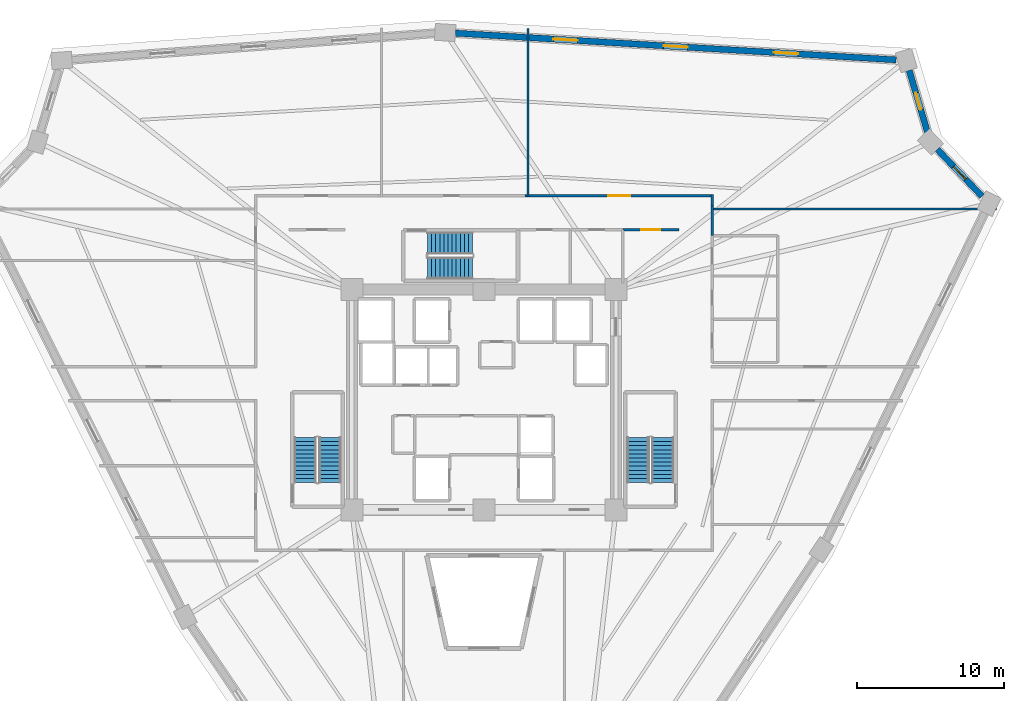
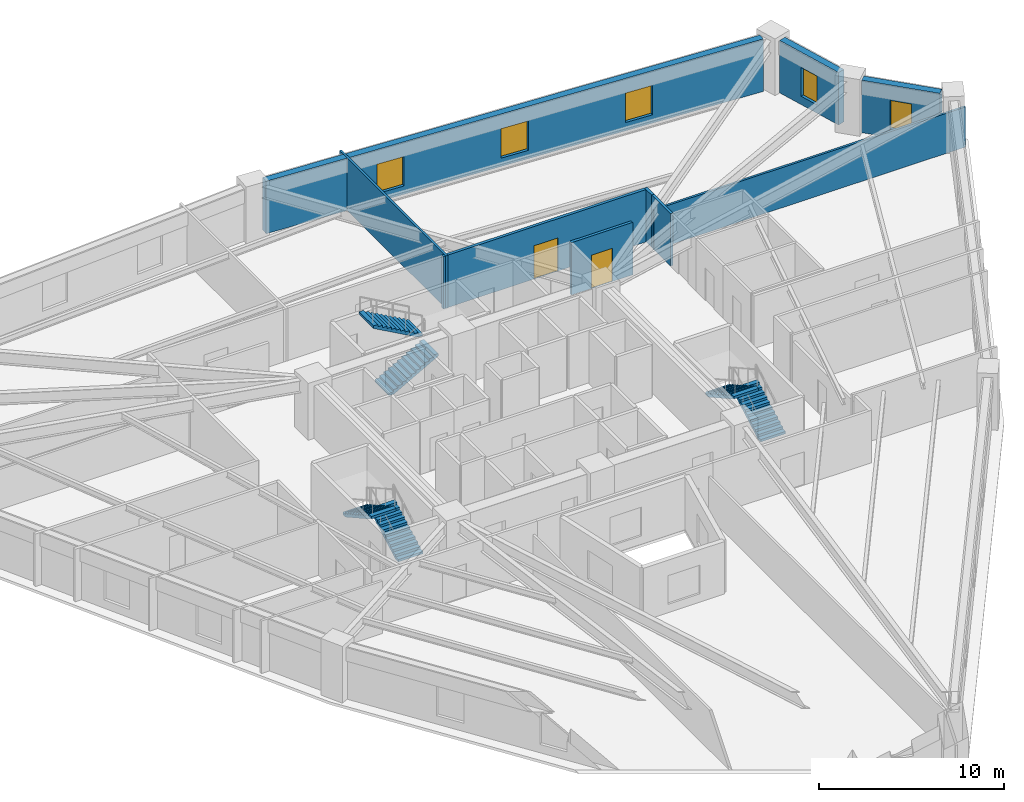
# One storey, part 7 of 8: 9 walls, 6 stair flights, 5 windows, 2 doors, 7 openings, 3 elements without a shape of their own.
"""IFC4 building model written with IfcOpenShell, lengths in metres."""

import ifcopenshell
import ifcopenshell.guid

model = None  # the IFC model being written
_history = None  # IfcOwnerHistory: only IFC2X3 demands one
_inside = {}  # id of a spatial element -> (the spatial element, [elements in it])
_under = {}  # id of a project, library or spatial element -> (it, [spatial elements below it])
_declared = {}  # id of a project -> (the project, [libraries it declares])
_typed = {}  # id of a type object -> (the type object, [elements of that type])
_made_of = {}  # id of a material, layer set ... -> (it, [elements and type objects made of it])


def new_model(schema):
    """Start an empty IFC model of exactly this schema.

    Asked for "IFC4X3", IfcOpenShell would pick the latest addendum, in which some entities
    have other attributes; the version numbers below select the first issue.
    IFC2X3 requires an IfcOwnerHistory on every rooted entity: one is made here for all.
    """
    global model, _history
    if schema == "IFC4X3":
        model = ifcopenshell.file(schema_version=(4, 3, 0, 0))
    else:
        model = ifcopenshell.file(schema=schema)
    _inside.clear()
    _under.clear()
    _declared.clear()
    _typed.clear()
    _made_of.clear()
    _history = None
    if model.schema == "IFC2X3":
        org = make("IfcOrganization", Name="unknown")
        user = make(
            "IfcPersonAndOrganization",
            ThePerson=make("IfcPerson", FamilyName="unknown"),
            TheOrganization=org,
        )
        app = make(
            "IfcApplication",
            ApplicationDeveloper=org,
            Version="unknown",
            ApplicationFullName="unknown",
            ApplicationIdentifier="unknown",
        )
        _history = make(
            "IfcOwnerHistory",
            OwningUser=user,
            OwningApplication=app,
            ChangeAction="ADDED",
            CreationDate=0,
        )
    return model


def make(cls, **values):
    """One entity of the class cls with the attributes given. An attribute that is None is left unset."""
    return model.create_entity(
        cls, **{name: value for name, value in values.items() if value is not None}
    )


def rooted(cls, **values):
    """An entity with a GlobalId (a new one), such as an element, a storey or a relation."""
    return make(cls, GlobalId=ifcopenshell.guid.new(), OwnerHistory=_history, **values)


def si_unit(unit_type, name, prefix=None):
    """IfcSIUnit, for example si_unit("LENGTHUNIT", "METRE", prefix="MILLI")."""
    return make("IfcSIUnit", UnitType=unit_type, Prefix=prefix, Name=name)


def assignment(units):
    """IfcUnitAssignment: the units of a project."""
    return None if units is None else make("IfcUnitAssignment", Units=units)


def point(xyz):
    """IfcCartesianPoint."""
    return None if xyz is None else make("IfcCartesianPoint", Coordinates=xyz)


def direction(xyz):
    """IfcDirection."""
    return None if xyz is None else make("IfcDirection", DirectionRatios=xyz)


def frame(location, z_axis=None, x_axis=None):
    """IfcAxis2Placement3D, a coordinate frame: its origin and axes. An axis left out is left unset."""
    return make(
        "IfcAxis2Placement3D",
        Location=point(location),
        Axis=direction(z_axis),
        RefDirection=direction(x_axis),
    )


def frame_2d(location, x_axis=None):
    """IfcAxis2Placement2D, a coordinate frame in the plane: its origin and x axis."""
    return make(
        "IfcAxis2Placement2D", Location=point(location), RefDirection=direction(x_axis)
    )


def origin():
    """The frame at (0, 0, 0) with its axes left unset."""
    return frame((0.0, 0.0, 0.0))


def place(relative_to, where):
    """IfcLocalPlacement: puts the frame where relative to a parent placement (None: the world)."""
    return make(
        "IfcLocalPlacement", PlacementRelTo=relative_to, RelativePlacement=where
    )


def context(
    kind, dimensions, precision=None, world=None, true_north=None, identifier=None
):
    """IfcGeometricRepresentationContext, for example the 3D "Model" context."""
    return make(
        "IfcGeometricRepresentationContext",
        ContextIdentifier=identifier,
        ContextType=kind,
        CoordinateSpaceDimension=dimensions,
        Precision=precision,
        WorldCoordinateSystem=world,
        TrueNorth=true_north,
    )


def subcontext(parent, identifier, kind, view, scale=None):
    """IfcGeometricRepresentationSubContext, for example "Body" below "Model"."""
    return make(
        "IfcGeometricRepresentationSubContext",
        ContextIdentifier=identifier,
        ContextType=kind,
        ParentContext=parent,
        TargetScale=scale,
        TargetView=view,
    )


def project(units=None, contexts=None):
    """IfcProject with its units and contexts."""
    return rooted(
        "IfcProject",
        Name="project",
        RepresentationContexts=contexts,
        UnitsInContext=assignment(units),
    )


def spatial(cls, under=None, at=None, **own):
    """A site, building, storey or space (cls), placed at a placement, below another one or the project."""
    s = rooted(cls, ObjectPlacement=at, **own)
    if under is not None:
        _under.setdefault(under.id(), (under, []))[1].append(s)
    return s


def polyline(points):
    """IfcPolyline through the points."""
    return make("IfcPolyline", Points=[point(p) for p in points])


def profile(cls, at=None, kind="AREA", **sizes):
    """A parametric profile (cls). Its sizes go by their IFC names, for example OverallWidth=200.0."""
    return make(cls, ProfileType=kind, Position=at, **sizes)


def rectangle(**sizes):
    """IfcRectangleProfileDef."""
    return profile("IfcRectangleProfileDef", **sizes)


def outline(outer, holes=None, kind="AREA"):
    """IfcArbitraryClosedProfileDef: a profile drawn as a closed curve; with holes, ...WithVoids."""
    if holes is None:
        return make("IfcArbitraryClosedProfileDef", ProfileType=kind, OuterCurve=outer)
    return make(
        "IfcArbitraryProfileDefWithVoids",
        ProfileType=kind,
        OuterCurve=outer,
        InnerCurves=holes,
    )


def extrude(swept, where, along, depth):
    """IfcExtrudedAreaSolid: the profile swept, set in the frame where, extruded along a direction by depth."""
    return make(
        "IfcExtrudedAreaSolid",
        SweptArea=swept,
        Position=where,
        ExtrudedDirection=direction(along),
        Depth=depth,
    )


def shape(context_of_items, identifier, shape_type, items):
    """IfcShapeRepresentation: the items that make up one representation, for example the "Body"."""
    return make(
        "IfcShapeRepresentation",
        ContextOfItems=context_of_items,
        RepresentationIdentifier=identifier,
        RepresentationType=shape_type,
        Items=items,
    )


def source(mapping_origin, context_of_items, identifier, shape_type, items):
    """IfcRepresentationMap: a shape defined once, which mapped items show again and again."""
    return make(
        "IfcRepresentationMap",
        MappingOrigin=mapping_origin,
        MappedRepresentation=shape(context_of_items, identifier, shape_type, items),
    )


def transform(
    local_origin,
    x_axis=None,
    y_axis=None,
    z_axis=None,
    scale=None,
    scale2=None,
    scale3=None,
    uniform=True,
):
    """IfcCartesianTransformationOperator3D, or its non-uniform kind. x_axis, y_axis, z_axis: its Axis1, 2, 3."""
    if uniform:
        return make(
            "IfcCartesianTransformationOperator3D",
            Axis1=direction(x_axis),
            Axis2=direction(y_axis),
            LocalOrigin=point(local_origin),
            Scale=scale,
            Axis3=direction(z_axis),
        )
    return make(
        "IfcCartesianTransformationOperator3DnonUniform",
        Axis1=direction(x_axis),
        Axis2=direction(y_axis),
        LocalOrigin=point(local_origin),
        Scale=scale,
        Axis3=direction(z_axis),
        Scale2=scale2,
        Scale3=scale3,
    )


def mapped(mapping_source, mapping_target):
    """IfcMappedItem: shows the shape of a source again, moved by a transform."""
    return make(
        "IfcMappedItem", MappingSource=mapping_source, MappingTarget=mapping_target
    )


def material(Name=None, Category=None):
    """IfcMaterial."""
    return make("IfcMaterial", Name=Name, Category=Category)


def layer(
    of_material, thickness, ventilated=None, Name=None, Category=None, Priority=None
):
    """IfcMaterialLayer: one layer of a wall or slab, of a material (None: an air gap)."""
    return make(
        "IfcMaterialLayer",
        Material=of_material,
        LayerThickness=thickness,
        IsVentilated=ventilated,
        Name=Name,
        Category=Category,
        Priority=Priority,
    )


def layer_set(layers, Name=None):
    """IfcMaterialLayerSet."""
    return make("IfcMaterialLayerSet", MaterialLayers=layers, LayerSetName=Name)


def made_of(thing, what):
    """Note that an element or type object is made of a material, layer set ...; save() writes the relation."""
    if what is not None:
        _made_of.setdefault(what.id(), (what, []))[1].append(thing)
    return thing


def type_object(cls, material=None, **own):
    """A type object (cls), such as IfcWallType, which elements share."""
    return made_of(rooted(cls, **own), material)


def element(
    cls,
    number,
    at=None,
    inside=None,
    cuts=None,
    type_object=None,
    material=None,
    context=None,
    identifier="Body",
    shape_type=None,
    held_by="IfcProductDefinitionShape",
    body=None,
    shapes=None,
    **own,
):
    """One element of the class cls, such as IfcWall. Its Tag is "e" and its number.

    at: its placement. inside: the storey or other place that contains it. cuts: it is an
    opening in that element (IfcRelVoidsElement). A single representation is given by context,
    identifier, shape_type and body (its items); several are given by shapes. held_by: the class
    of the entity that holds the representations. save() writes the other relations.
    """
    e = rooted(cls, Tag="e%d" % number, ObjectPlacement=at, **own)
    if body is not None:
        shapes = [shape(context, identifier, shape_type, body)]
    if shapes is not None:
        e.Representation = make(held_by, Representations=shapes)
    if inside is not None:
        _inside.setdefault(inside.id(), (inside, []))[1].append(e)
    if cuts is not None:
        rooted(
            "IfcRelVoidsElement", RelatingBuildingElement=cuts, RelatedOpeningElement=e
        )
    if type_object is not None:
        _typed.setdefault(type_object.id(), (type_object, []))[1].append(e)
    return made_of(e, material)


def fill(opening, filler):
    """IfcRelFillsElement: the door or window that sits in an opening."""
    return rooted(
        "IfcRelFillsElement",
        RelatingOpeningElement=opening,
        RelatedBuildingElement=filler,
    )


def aggregate(whole, parts):
    """IfcRelAggregates: a whole, such as a stair, and the parts it consists of."""
    return rooted("IfcRelAggregates", RelatingObject=whole, RelatedObjects=parts)


def save(model, path):
    """Write the relations noted so far, then the file.

    IfcRelAggregates (storeys below a building ...), IfcRelContainedInSpatialStructure (elements
    in a storey), IfcRelDefinesByType, IfcRelAssociatesMaterial and IfcRelDeclares: one each for
    every whole, place, type object, material and project.
    """
    for whole, parts in _under.values():
        aggregate(whole, parts)
    for where, things in _inside.values():
        rooted(
            "IfcRelContainedInSpatialStructure",
            RelatedElements=things,
            RelatingStructure=where,
        )
    for kind, things in _typed.values():
        rooted("IfcRelDefinesByType", RelatedObjects=things, RelatingType=kind)
    for what, things in _made_of.values():
        rooted("IfcRelAssociatesMaterial", RelatedObjects=things, RelatingMaterial=what)
    for by, libraries in _declared.values():
        rooted("IfcRelDeclares", RelatingContext=by, RelatedDefinitions=libraries)
    model.write(path)


model = new_model("IFC4")

# Units and contexts
model_context = context("Model", 3, precision=1e-05, world=origin(), true_north=direction((0.0, 1.0)))
body_context = subcontext(model_context, "Body", "Model", "MODEL_VIEW")
ifc_project = project(units=[si_unit("LENGTHUNIT", "METRE"), si_unit("AREAUNIT", "SQUARE_METRE"), si_unit("VOLUMEUNIT", "CUBIC_METRE"), si_unit("PLANEANGLEUNIT", "RADIAN"), si_unit("MASSUNIT", "GRAM", prefix="KILO")], contexts=[model_context])

# Site, building, storey
site_placement = place(None, origin())
site = spatial("IfcSite", under=ifc_project, at=site_placement, CompositionType="ELEMENT")
building_placement = place(site_placement, origin())
building = spatial("IfcBuilding", under=site, at=building_placement, Name="Liaohun Quay Tower", CompositionType="ELEMENT")
storey_placement = place(building_placement, frame((0.0, 0.0, 181.5)))
storey = spatial("IfcBuildingStorey", under=building, at=storey_placement, Name="L47", CompositionType="ELEMENT", Elevation=181.5)

# Wall, opening, window
ifc_material_1 = material(Name="Precast concrete C50 insulated sandwich", Category="concrete")
ifc_layer_1 = layer(ifc_material_1, 0.419921875, Name="Precast concrete C50 insulated sandwich", Category="concrete")
ifc_layer_set_1 = layer_set([ifc_layer_1], Name="Precast concrete C50 insulated sandwich")
wall_type_1 = type_object("IfcWallType", Name="WAL-EXT-Z12", PredefinedType="SOLIDWALL", material=ifc_layer_set_1)
wall_1_placement = place(storey_placement, frame((93.948974609375, 67.864990234375, 0.0), z_axis=(0.0, 0.0, 1.0), x_axis=(-0.68923569457, 0.724537202171, 0.0)))
wall_1 = element("IfcWall", 1, at=wall_1_placement, inside=storey, type_object=wall_type_1, Name="L47 Brutalist Precast Pier Wall 04", PredefinedType="SOLIDWALL", context=body_context, shape_type="SweptSolid", body=[
    extrude(rectangle(XDim=4.419189453125, YDim=0.419921875, at=frame_2d((2.20947265625, 0.0))), origin(), (0.0, 0.0, 1.0), 3.469970703125),
])
shared_shape_1 = source(origin(), body_context, "Body", "SweptSolid", [
    extrude(rectangle(XDim=1.199951171875, YDim=1.89990234375, at=frame_2d((0.60009765625, 0.949951171875))), frame((0.0, 0.219970703125, 0.0), z_axis=(0.0, -1.0, 0.0), x_axis=(1.0, 0.0, 0.0)), (0.0, 0.0, 1.0), 0.43994140625),
])
opening_1_placement = place(wall_1_placement, frame((1.610107421875, 0.0, 0.550048828125)))
opening_1 = element("IfcOpeningElement", 2, at=opening_1_placement, cuts=wall_1, Name="Opening W05", PredefinedType="OPENING", context=body_context, shape_type="MappedRepresentation", body=[
    mapped(shared_shape_1, transform((0.0, 0.0, 0.0), x_axis=(1.0, 0.0, 0.0), y_axis=(0.0, 1.0, 0.0), z_axis=(0.0, 0.0, 1.0), scale=1.0)),
])
ifc_material_2 = material(Name="Triple Low-E corner notch glazing", Category="glass")
window_type_1 = type_object("IfcWindowType", Name="WIN-NOTCH", PartitioningType="SINGLE_PANEL", PredefinedType="WINDOW", material=ifc_material_2)
shared_shape_2 = source(origin(), body_context, "Body", "SweptSolid", [
    extrude(rectangle(XDim=1.199951171875, YDim=1.89990234375, at=frame_2d((0.60009765625, 0.949951171875))), frame((0.0, 0.030029296875, 0.0), z_axis=(0.0, -1.0, 0.0), x_axis=(1.0, 0.0, 0.0)), (0.0, 0.0, 1.0), 0.06005859375),
])
window_1_placement = place(opening_1_placement, origin())
window_1 = element("IfcWindow", 3, at=window_1_placement, inside=storey, type_object=window_type_1, Name="L47 Corner Notch Window W05-04", OverallHeight=1.89990234375, OverallWidth=1.199951171875, PartitioningType="SINGLE_PANEL", PredefinedType="WINDOW", context=body_context, shape_type="MappedRepresentation", body=[
    mapped(shared_shape_2, transform((0.0, 0.0, 0.0), x_axis=(1.0, 0.0, 0.0), y_axis=(0.0, 1.0, 0.0), z_axis=(0.0, 0.0, 1.0), scale=1.0)),
])
fill(opening_1, window_1)

wall_2_placement = place(storey_placement, frame((90.23193359375, 72.22900390625, 0.0), z_axis=(0.0, 0.0, 1.0), x_axis=(-0.283010794754, 0.959116723894, 0.0)))
wall_2 = element("IfcWall", 4, at=wall_2_placement, inside=storey, type_object=wall_type_1, Name="L47 Brutalist Precast Pier Wall 05", PredefinedType="SOLIDWALL", context=body_context, shape_type="SweptSolid", body=[
    extrude(rectangle(XDim=4.413330078125, YDim=0.419921875, at=frame_2d((2.20654296875, 0.0))), origin(), (0.0, 0.0, 1.0), 3.469970703125),
])
opening_2_placement = place(wall_2_placement, frame((1.60693359375, 0.0, 0.550048828125)))
opening_2 = element("IfcOpeningElement", 5, at=opening_2_placement, cuts=wall_2, Name="Opening W05", PredefinedType="OPENING", context=body_context, shape_type="MappedRepresentation", body=[
    mapped(shared_shape_1, transform((0.0, 0.0, 0.0), x_axis=(1.0, 0.0, 0.0), y_axis=(0.0, 1.0, 0.0), z_axis=(0.0, 0.0, 1.0), scale=1.0)),
])
window_2_placement = place(opening_2_placement, origin())
window_2 = element("IfcWindow", 6, at=window_2_placement, inside=storey, type_object=window_type_1, Name="L47 Corner Notch Window W05-05", OverallHeight=1.89990234375, OverallWidth=1.199951171875, PartitioningType="SINGLE_PANEL", PredefinedType="WINDOW", context=body_context, shape_type="MappedRepresentation", body=[
    mapped(shared_shape_2, transform((0.0, 0.0, 0.0), x_axis=(1.0, 0.0, 0.0), y_axis=(0.0, 1.0, 0.0), z_axis=(0.0, 0.0, 1.0), scale=1.0)),
])
fill(opening_2, window_2)

# Wall, openings, windows
wall_3_placement = place(storey_placement, frame((88.09912109375, 77.166015625, 0.0), z_axis=(0.0, 0.0, 1.0), x_axis=(-0.998161501753, 0.060610365596, 0.0)))
wall_3 = element("IfcWall", 7, at=wall_3_placement, inside=storey, type_object=wall_type_1, Name="L47 Brutalist Precast Pier Wall 06", PredefinedType="SOLIDWALL", context=body_context, shape_type="SweptSolid", body=[
    extrude(rectangle(XDim=30.109619140625, YDim=0.419921875, at=frame_2d((15.0546875, 0.0))), origin(), (0.0, 0.0, 1.0), 3.469970703125),
])
shared_shape_3 = source(origin(), body_context, "Body", "SweptSolid", [
    extrude(rectangle(XDim=1.64990234375, YDim=1.949951171875, at=frame_2d((0.824951171875, 0.97509765625))), frame((0.0, 0.219970703125, 0.0), z_axis=(0.0, -1.0, 0.0), x_axis=(1.0, 0.0, 0.0)), (0.0, 0.0, 1.0), 0.43994140625),
])
opening_3_placement = place(wall_3_placement, frame((6.701904296875, 0.0, 0.550048828125)))
opening_3 = element("IfcOpeningElement", 8, at=opening_3_placement, cuts=wall_3, Name="Opening W02", PredefinedType="OPENING", context=body_context, shape_type="MappedRepresentation", body=[
    mapped(shared_shape_3, transform((0.0, 0.0, 0.0), x_axis=(1.0, 0.0, 0.0), y_axis=(0.0, 1.0, 0.0), z_axis=(0.0, 0.0, 1.0), scale=1.0)),
])
opening_4_placement = place(wall_3_placement, frame((14.22998046875, 0.0, 0.550048828125)))
opening_4 = element("IfcOpeningElement", 9, at=opening_4_placement, cuts=wall_3, Name="Opening W02", PredefinedType="OPENING", context=body_context, shape_type="MappedRepresentation", body=[
    mapped(shared_shape_3, transform((0.0, 0.0, 0.0), x_axis=(1.0, 0.0, 0.0), y_axis=(0.0, 1.0, 0.0), z_axis=(0.0, 0.0, 1.0), scale=1.0)),
])
opening_5_placement = place(wall_3_placement, frame((21.757080078125, 0.0, 0.550048828125)))
opening_5 = element("IfcOpeningElement", 10, at=opening_5_placement, cuts=wall_3, Name="Opening W02", PredefinedType="OPENING", context=body_context, shape_type="MappedRepresentation", body=[
    mapped(shared_shape_3, transform((0.0, 0.0, 0.0), x_axis=(1.0, 0.0, 0.0), y_axis=(0.0, 1.0, 0.0), z_axis=(0.0, 0.0, 1.0), scale=1.0)),
])
ifc_material_3 = material(Name="Triple Low-E argon glazing in thermally broken aluminium", Category="aluminium")
window_type_2 = type_object("IfcWindowType", Name="WIN-PUN-Z2", PartitioningType="DOUBLE_PANEL_VERTICAL", PredefinedType="WINDOW", material=ifc_material_3)
shared_shape_4 = source(origin(), body_context, "Body", "SweptSolid", [
    extrude(rectangle(XDim=1.64990234375, YDim=1.949951171875, at=frame_2d((0.824951171875, 0.97509765625))), frame((0.0, 0.030029296875, 0.0), z_axis=(0.0, -1.0, 0.0), x_axis=(1.0, 0.0, 0.0)), (0.0, 0.0, 1.0), 0.06005859375),
])
window_3_placement = place(opening_3_placement, origin())
window_3 = element("IfcWindow", 11, at=window_3_placement, inside=storey, type_object=window_type_2, Name="L47 Recessed Cold-Climate Punched Window 06-1", OverallHeight=1.949951171875, OverallWidth=1.64990234375, PartitioningType="DOUBLE_PANEL_VERTICAL", PredefinedType="WINDOW", context=body_context, shape_type="MappedRepresentation", body=[
    mapped(shared_shape_4, transform((0.0, 0.0, 0.0), x_axis=(1.0, 0.0, 0.0), y_axis=(0.0, 1.0, 0.0), z_axis=(0.0, 0.0, 1.0), scale=1.0)),
])
fill(opening_3, window_3)
window_4_placement = place(opening_4_placement, origin())
window_4 = element("IfcWindow", 12, at=window_4_placement, inside=storey, type_object=window_type_2, Name="L47 Recessed Cold-Climate Punched Window 06-2", OverallHeight=1.949951171875, OverallWidth=1.64990234375, PartitioningType="DOUBLE_PANEL_VERTICAL", PredefinedType="WINDOW", context=body_context, shape_type="MappedRepresentation", body=[
    mapped(shared_shape_4, transform((0.0, 0.0, 0.0), x_axis=(1.0, 0.0, 0.0), y_axis=(0.0, 1.0, 0.0), z_axis=(0.0, 0.0, 1.0), scale=1.0)),
])
fill(opening_4, window_4)
window_5_placement = place(opening_5_placement, origin())
window_5 = element("IfcWindow", 13, at=window_5_placement, inside=storey, type_object=window_type_2, Name="L47 Recessed Cold-Climate Punched Window 06-3", OverallHeight=1.949951171875, OverallWidth=1.64990234375, PartitioningType="DOUBLE_PANEL_VERTICAL", PredefinedType="WINDOW", context=body_context, shape_type="MappedRepresentation", body=[
    mapped(shared_shape_4, transform((0.0, 0.0, 0.0), x_axis=(1.0, 0.0, 0.0), y_axis=(0.0, 1.0, 0.0), z_axis=(0.0, 0.0, 1.0), scale=1.0)),
])
fill(opening_5, window_5)

# Wall, opening, door
ifc_material_4 = material(Name="Autoclaved aerated concrete blockwork", Category="masonry")
ifc_layer_2 = layer(ifc_material_4, 0.179931640625, Name="Autoclaved aerated concrete blockwork", Category="masonry")
ifc_layer_set_2 = layer_set([ifc_layer_2], Name="Autoclaved aerated concrete blockwork")
wall_type_2 = type_object("IfcWallType", Name="WAL-PRT-COR", PredefinedType="PARTITIONING", material=ifc_layer_set_2)
wall_4_placement = place(storey_placement, frame((69.4599609375, 65.580078125, 0.0), z_axis=(0.0, 0.0, 1.0), x_axis=(1.0, 0.0, 0.0)))
wall_4 = element("IfcWall", 14, at=wall_4_placement, inside=storey, type_object=wall_type_2, Name="L47 Interior Partition Wall 010", PredefinedType="PARTITIONING", context=body_context, shape_type="SweptSolid", body=[
    extrude(rectangle(XDim=3.840087890625, YDim=0.179931640625, at=frame_2d((1.919921875, 0.0))), origin(), (0.0, 0.0, 1.0), 3.469970703125),
])
shared_shape_5 = source(origin(), body_context, "Body", "SweptSolid", [
    extrude(rectangle(XDim=1.300048828125, YDim=2.199951171875, at=frame_2d((0.64990234375, 1.10009765625))), frame((0.0, 0.099853515625, 0.0), z_axis=(0.0, -1.0, 0.0), x_axis=(1.0, 0.0, 0.0)), (0.0, 0.0, 1.0), 0.199951171875),
])
opening_6_placement = place(wall_4_placement, frame((1.27001953125, 0.0, 0.0)))
opening_6 = element("IfcOpeningElement", 15, at=opening_6_placement, cuts=wall_4, Name="Opening FD1", PredefinedType="OPENING", context=body_context, shape_type="MappedRepresentation", body=[
    mapped(shared_shape_5, transform((0.0, 0.0, 0.0), x_axis=(1.0, 0.0, 0.0), y_axis=(0.0, 1.0, 0.0), z_axis=(0.0, 0.0, 1.0), scale=1.0)),
])
ifc_material_5 = material(Name="Galvanised steel smokeproof fire door", Category="steel")
door_type_1 = type_object("IfcDoorType", Name="DOR-FFL-1300", OperationType="NOTDEFINED", PredefinedType="DOOR", material=ifc_material_5)
shared_shape_6 = source(origin(), body_context, "Body", "SweptSolid", [
    extrude(rectangle(XDim=1.300048828125, YDim=2.199951171875, at=frame_2d((0.64990234375, 1.10009765625))), frame((0.0, 0.02490234375, 0.0), z_axis=(0.0, -1.0, 0.0), x_axis=(1.0, 0.0, 0.0)), (0.0, 0.0, 1.0), 0.050048828125),
])
door_1_placement = place(opening_6_placement, origin())
door_1 = element("IfcDoor", 16, at=door_1_placement, inside=storey, type_object=door_type_1, Name="L47 East Core Vestibule Door", OperationType="SINGLE_SWING_RIGHT", OverallHeight=2.199951171875, OverallWidth=1.300048828125, PredefinedType="DOOR", context=body_context, shape_type="MappedRepresentation", body=[
    mapped(shared_shape_6, transform((0.0, 0.0, 0.0), x_axis=(1.0, 0.0, 0.0), y_axis=(0.0, 1.0, 0.0), z_axis=(0.0, 0.0, 1.0), scale=1.0)),
])
fill(opening_6, door_1)

wall_5_placement = place(storey_placement, frame((62.784912109375, 67.909912109375, 0.0), z_axis=(0.0, 0.0, 1.0), x_axis=(1.0, 0.0, 0.0)))
wall_5 = element("IfcWall", 17, at=wall_5_placement, inside=storey, type_object=wall_type_2, Name="L47 Interior Partition Wall 012", PredefinedType="PARTITIONING", context=body_context, shape_type="SweptSolid", body=[
    extrude(rectangle(XDim=12.844970703125, YDim=0.179931640625, at=frame_2d((6.42236328125, 0.0))), origin(), (0.0, 0.0, 1.0), 3.469970703125),
])
shared_shape_7 = source(origin(), body_context, "Body", "SweptSolid", [
    extrude(rectangle(XDim=1.5, YDim=2.199951171875, at=frame_2d((0.75, 1.10009765625))), frame((0.0, 0.099853515625, 0.0), z_axis=(0.0, -1.0, 0.0), x_axis=(1.0, 0.0, 0.0)), (0.0, 0.0, 1.0), 0.199951171875),
])
opening_7_placement = place(wall_5_placement, frame((5.672119140625, 0.0, 0.0)))
opening_7 = element("IfcOpeningElement", 18, at=opening_7_placement, cuts=wall_5, Name="Opening OD2", PredefinedType="OPENING", context=body_context, shape_type="MappedRepresentation", body=[
    mapped(shared_shape_7, transform((0.0, 0.0, 0.0), x_axis=(1.0, 0.0, 0.0), y_axis=(0.0, 1.0, 0.0), z_axis=(0.0, 0.0, 1.0), scale=1.0)),
])
ifc_material_6 = material(Name="Acoustic oak veneer double door")
door_type_2 = type_object("IfcDoorType", Name="DOR-OFF-1500", OperationType="DOUBLE_DOOR_SINGLE_SWING", PredefinedType="DOOR", material=ifc_material_6)
shared_shape_8 = source(origin(), body_context, "Body", "SweptSolid", [
    extrude(rectangle(XDim=1.5, YDim=2.199951171875, at=frame_2d((0.75, 1.10009765625))), frame((0.0, 0.02490234375, 0.0), z_axis=(0.0, -1.0, 0.0), x_axis=(1.0, 0.0, 0.0)), (0.0, 0.0, 1.0), 0.050048828125),
])
door_2_placement = place(opening_7_placement, origin())
door_2 = element("IfcDoor", 19, at=door_2_placement, inside=storey, type_object=door_type_2, Name="L47 Digital Prototyping Laboratory 02 Door", OperationType="DOUBLE_DOOR_SINGLE_SWING", OverallHeight=2.199951171875, OverallWidth=1.5, PredefinedType="DOOR", context=body_context, shape_type="MappedRepresentation", body=[
    mapped(shared_shape_8, transform((0.0, 0.0, 0.0), x_axis=(1.0, 0.0, 0.0), y_axis=(0.0, 1.0, 0.0), z_axis=(0.0, 0.0, 1.0), scale=1.0)),
])
fill(opening_7, door_2)

# Walls
wall_6_placement = place(storey_placement, frame((75.56005859375, 67.215087890625, 0.0), z_axis=(0.0, 0.0, 1.0), x_axis=(0.0, -1.0, 0.0)))
element("IfcWall", 20, at=wall_6_placement, inside=storey, type_object=wall_type_2, Name="L47 Interior Partition Wall 037", PredefinedType="PARTITIONING", context=body_context, shape_type="SweptSolid", body=[
    extrude(rectangle(XDim=2.03515625, YDim=0.179931640625, at=frame_2d((1.017578125, 0.0))), origin(), (0.0, 0.0, 1.0), 3.469970703125),
])
wall_7_placement = place(storey_placement, frame((75.56005859375, 67.97998046875, 0.0), z_axis=(0.0, 0.0, 1.0), x_axis=(0.0, -1.0, 0.0)))
element("IfcWall", 21, at=wall_7_placement, inside=storey, type_object=wall_type_2, Name="L47 Interior Partition Wall 038", PredefinedType="PARTITIONING", context=body_context, shape_type="SweptSolid", body=[
    extrude(rectangle(XDim=0.764892578125, YDim=0.179931640625, at=frame_2d((0.38232421875, 0.0))), origin(), (0.0, 0.0, 1.0), 3.469970703125),
])
ifc_material_7 = material(Name="Gypsum board on twin steel studs", Category="steel")
ifc_layer_3 = layer(ifc_material_7, 0.139892578125, Name="Gypsum board on twin steel studs", Category="steel")
ifc_layer_set_3 = layer_set([ifc_layer_3], Name="Gypsum board on twin steel studs")
wall_type_3 = type_object("IfcWallType", Name="WAL-PRT-OFF", PredefinedType="PARTITIONING", material=ifc_layer_set_3)
wall_8_placement = place(storey_placement, frame((75.4599609375, 67.0, 0.0), z_axis=(0.0, 0.0, 1.0), x_axis=(1.0, 0.0, 0.0)))
element("IfcWall", 22, at=wall_8_placement, inside=storey, type_object=wall_type_3, Name="L47 Interior Partition Wall 052", PredefinedType="PARTITIONING", context=body_context, shape_type="SweptSolid", body=[
    extrude(rectangle(XDim=19.489013671875, YDim=0.139892578125, at=frame_2d((9.74462890625, 0.0))), origin(), (0.0, 0.0, 1.0), 2.655029296875),
])
wall_9_placement = place(storey_placement, frame((63.0, 67.81005859375, 0.0), z_axis=(0.0, 0.0, 1.0), x_axis=(0.0, 1.0, 0.0)))
element("IfcWall", 23, at=wall_9_placement, inside=storey, type_object=wall_type_3, Name="L47 Interior Partition Wall 054", PredefinedType="PARTITIONING", context=body_context, shape_type="SweptSolid", body=[
    extrude(rectangle(XDim=11.510986328125, YDim=0.139892578125, at=frame_2d((5.75537109375, 0.0))), origin(), (0.0, 0.0, 1.0), 3.469970703125),
])

# Stair, stair flights
ifc_material_8 = material(Name="Concrete C45", Category="concrete")
stair_type = type_object("IfcStairType", Name="STR-CORE-OFF", PredefinedType="HALF_TURN_STAIR", material=ifc_material_8)
stair_1_placement = place(storey_placement, origin())
stair_1 = element("IfcStair", 24, at=stair_1_placement, inside=storey, type_object=stair_type, Name="L47 Smokeproof Core Exit Stair ST-1", PredefinedType="HALF_TURN_STAIR")
stair_flight_type = type_object("IfcStairFlightType", Name="FLT-CORE-155", PredefinedType="STRAIGHT", material=ifc_material_8)
stair_flight_1_placement = place(storey_placement, frame((49.5048828125, 48.35009765625, 0.0), z_axis=(0.0, 0.0, 1.0), x_axis=(0.0, 1.0, 0.0)))
stair_flight_1 = element("IfcStairFlight", 25, at=stair_flight_1_placement, type_object=stair_flight_type, Name="ST-1 flight 1", NumberOfRisers=12, NumberOfTreads=11, PredefinedType="STRAIGHT", RiserHeight=0.15625, TreadLength=0.28, context=body_context, shape_type="SweptSolid", body=[
    extrude(outline(polyline([(0.0, 0.0), (0.0, 0.15625), (0.280029296875, 0.15625), (0.280029296875, 0.3125), (0.56005859375, 0.3125), (0.56005859375, 0.46875), (0.840087890625, 0.46875), (0.840087890625, 0.625), (1.1201171875, 0.625), (1.1201171875, 0.78125), (1.39990234375, 0.78125), (1.39990234375, 0.9375), (1.679931640625, 0.9375), (1.679931640625, 1.09375), (1.9599609375, 1.09375), (1.9599609375, 1.25), (2.239990234375, 1.25), (2.239990234375, 1.40625), (2.52001953125, 1.40625), (2.52001953125, 1.5625), (2.800048828125, 1.5625), (2.800048828125, 1.71875), (3.080078125, 1.71875), (3.080078125, 1.875), (3.080078125, 1.547119140625), (0.3076171875, 0.0), (0.0, 0.0)])), frame((0.0, 0.77490234375, 0.0), z_axis=(0.0, -1.0, 0.0), x_axis=(1.0, 0.0, 0.0)), (0.0, 0.0, 1.0), 1.550048828125),
])
stair_flight_2_placement = place(storey_placement, frame((47.81494140625, 51.429931640625, 1.875), z_axis=(0.0, 0.0, 1.0), x_axis=(0.0, -1.0, 0.0)))
stair_flight_2 = element("IfcStairFlight", 26, at=stair_flight_2_placement, type_object=stair_flight_type, Name="ST-1 flight 2", NumberOfRisers=12, NumberOfTreads=11, PredefinedType="STRAIGHT", RiserHeight=0.15625, TreadLength=0.28, context=body_context, shape_type="SweptSolid", body=[
    extrude(outline(polyline([(0.0, 0.0), (0.0, 0.15625), (0.280029296875, 0.15625), (0.280029296875, 0.3125), (0.56005859375, 0.3125), (0.56005859375, 0.46875), (0.840087890625, 0.46875), (0.840087890625, 0.625), (1.1201171875, 0.625), (1.1201171875, 0.78125), (1.39990234375, 0.78125), (1.39990234375, 0.9375), (1.679931640625, 0.9375), (1.679931640625, 1.09375), (1.9599609375, 1.09375), (1.9599609375, 1.25), (2.239990234375, 1.25), (2.239990234375, 1.40625), (2.52001953125, 1.40625), (2.52001953125, 1.5625), (2.800048828125, 1.5625), (2.800048828125, 1.71875), (3.080078125, 1.71875), (3.080078125, 1.875), (3.080078125, 1.547119140625), (0.3076171875, 0.0), (0.0, 0.0)])), frame((0.0, 0.77490234375, 0.0), z_axis=(0.0, -1.0, 0.0), x_axis=(1.0, 0.0, 0.0)), (0.0, 0.0, 1.0), 1.550048828125),
])
aggregate(stair_1, [stair_flight_1, stair_flight_2])

stair_2_placement = place(storey_placement, origin())
stair_2 = element("IfcStair", 27, at=stair_2_placement, inside=storey, type_object=stair_type, Name="L47 Smokeproof Core Exit Stair ST-2", PredefinedType="HALF_TURN_STAIR")
stair_flight_3_placement = place(storey_placement, frame((72.18505859375, 48.35009765625, 0.0), z_axis=(0.0, 0.0, 1.0), x_axis=(0.0, 1.0, 0.0)))
stair_flight_3 = element("IfcStairFlight", 28, at=stair_flight_3_placement, type_object=stair_flight_type, Name="ST-2 flight 1", NumberOfRisers=12, NumberOfTreads=11, PredefinedType="STRAIGHT", RiserHeight=0.15625, TreadLength=0.28, context=body_context, shape_type="SweptSolid", body=[
    extrude(outline(polyline([(0.0, 0.0), (0.0, 0.15625), (0.280029296875, 0.15625), (0.280029296875, 0.3125), (0.56005859375, 0.3125), (0.56005859375, 0.46875), (0.840087890625, 0.46875), (0.840087890625, 0.625), (1.1201171875, 0.625), (1.1201171875, 0.78125), (1.39990234375, 0.78125), (1.39990234375, 0.9375), (1.679931640625, 0.9375), (1.679931640625, 1.09375), (1.9599609375, 1.09375), (1.9599609375, 1.25), (2.239990234375, 1.25), (2.239990234375, 1.40625), (2.52001953125, 1.40625), (2.52001953125, 1.5625), (2.800048828125, 1.5625), (2.800048828125, 1.71875), (3.080078125, 1.71875), (3.080078125, 1.875), (3.080078125, 1.547119140625), (0.3076171875, 0.0), (0.0, 0.0)])), frame((0.0, 0.77490234375, 0.0), z_axis=(0.0, -1.0, 0.0), x_axis=(1.0, 0.0, 0.0)), (0.0, 0.0, 1.0), 1.550048828125),
])
stair_flight_4_placement = place(storey_placement, frame((70.4951171875, 51.429931640625, 1.875), z_axis=(0.0, 0.0, 1.0), x_axis=(0.0, -1.0, 0.0)))
stair_flight_4 = element("IfcStairFlight", 29, at=stair_flight_4_placement, type_object=stair_flight_type, Name="ST-2 flight 2", NumberOfRisers=12, NumberOfTreads=11, PredefinedType="STRAIGHT", RiserHeight=0.15625, TreadLength=0.28, context=body_context, shape_type="SweptSolid", body=[
    extrude(outline(polyline([(0.0, 0.0), (0.0, 0.15625), (0.280029296875, 0.15625), (0.280029296875, 0.3125), (0.56005859375, 0.3125), (0.56005859375, 0.46875), (0.840087890625, 0.46875), (0.840087890625, 0.625), (1.1201171875, 0.625), (1.1201171875, 0.78125), (1.39990234375, 0.78125), (1.39990234375, 0.9375), (1.679931640625, 0.9375), (1.679931640625, 1.09375), (1.9599609375, 1.09375), (1.9599609375, 1.25), (2.239990234375, 1.25), (2.239990234375, 1.40625), (2.52001953125, 1.40625), (2.52001953125, 1.5625), (2.800048828125, 1.5625), (2.800048828125, 1.71875), (3.080078125, 1.71875), (3.080078125, 1.875), (3.080078125, 1.547119140625), (0.3076171875, 0.0), (0.0, 0.0)])), frame((0.0, 0.77490234375, 0.0), z_axis=(0.0, -1.0, 0.0), x_axis=(1.0, 0.0, 0.0)), (0.0, 0.0, 1.0), 1.550048828125),
])
aggregate(stair_2, [stair_flight_3, stair_flight_4])

stair_3_placement = place(storey_placement, origin())
stair_3 = element("IfcStair", 30, at=stair_3_placement, inside=storey, type_object=stair_type, Name="L47 Smokeproof Core Exit Stair ST-3", PredefinedType="HALF_TURN_STAIR")
stair_flight_5_placement = place(storey_placement, frame((56.14990234375, 62.97509765625, 0.0), z_axis=(0.0, 0.0, 1.0), x_axis=(1.0, 0.0, 0.0)))
stair_flight_5 = element("IfcStairFlight", 31, at=stair_flight_5_placement, type_object=stair_flight_type, Name="ST-3 flight 1", NumberOfRisers=12, NumberOfTreads=11, PredefinedType="STRAIGHT", RiserHeight=0.15625, TreadLength=0.28, context=body_context, shape_type="SweptSolid", body=[
    extrude(outline(polyline([(0.0, 0.0), (0.0, 0.15625), (0.280029296875, 0.15625), (0.280029296875, 0.3125), (0.56005859375, 0.3125), (0.56005859375, 0.46875), (0.840087890625, 0.46875), (0.840087890625, 0.625), (1.1201171875, 0.625), (1.1201171875, 0.78125), (1.39990234375, 0.78125), (1.39990234375, 0.9375), (1.679931640625, 0.9375), (1.679931640625, 1.09375), (1.9599609375, 1.09375), (1.9599609375, 1.25), (2.239990234375, 1.25), (2.239990234375, 1.40625), (2.52001953125, 1.40625), (2.52001953125, 1.5625), (2.800048828125, 1.5625), (2.800048828125, 1.71875), (3.080078125, 1.71875), (3.080078125, 1.875), (3.080078125, 1.547119140625), (0.3076171875, 0.0), (0.0, 0.0)])), frame((0.0, 0.77490234375, 0.0), z_axis=(0.0, -1.0, 0.0), x_axis=(1.0, 0.0, 0.0)), (0.0, 0.0, 1.0), 1.550048828125),
])
stair_flight_6_placement = place(storey_placement, frame((59.22998046875, 64.6650390625, 1.875), z_axis=(0.0, 0.0, 1.0), x_axis=(-1.0, 0.0, 0.0)))
stair_flight_6 = element("IfcStairFlight", 32, at=stair_flight_6_placement, type_object=stair_flight_type, Name="ST-3 flight 2", NumberOfRisers=12, NumberOfTreads=11, PredefinedType="STRAIGHT", RiserHeight=0.15625, TreadLength=0.28, context=body_context, shape_type="SweptSolid", body=[
    extrude(outline(polyline([(0.0, 0.0), (0.0, 0.15625), (0.280029296875, 0.15625), (0.280029296875, 0.3125), (0.56005859375, 0.3125), (0.56005859375, 0.46875), (0.840087890625, 0.46875), (0.840087890625, 0.625), (1.1201171875, 0.625), (1.1201171875, 0.78125), (1.39990234375, 0.78125), (1.39990234375, 0.9375), (1.679931640625, 0.9375), (1.679931640625, 1.09375), (1.9599609375, 1.09375), (1.9599609375, 1.25), (2.239990234375, 1.25), (2.239990234375, 1.40625), (2.52001953125, 1.40625), (2.52001953125, 1.5625), (2.800048828125, 1.5625), (2.800048828125, 1.71875), (3.080078125, 1.71875), (3.080078125, 1.875), (3.080078125, 1.547119140625), (0.3076171875, 0.0), (0.0, 0.0)])), frame((0.0, 0.77490234375, 0.0), z_axis=(0.0, -1.0, 0.0), x_axis=(1.0, 0.0, 0.0)), (0.0, 0.0, 1.0), 1.550048828125),
])
aggregate(stair_3, [stair_flight_5, stair_flight_6])

save(model, "model.ifc")
